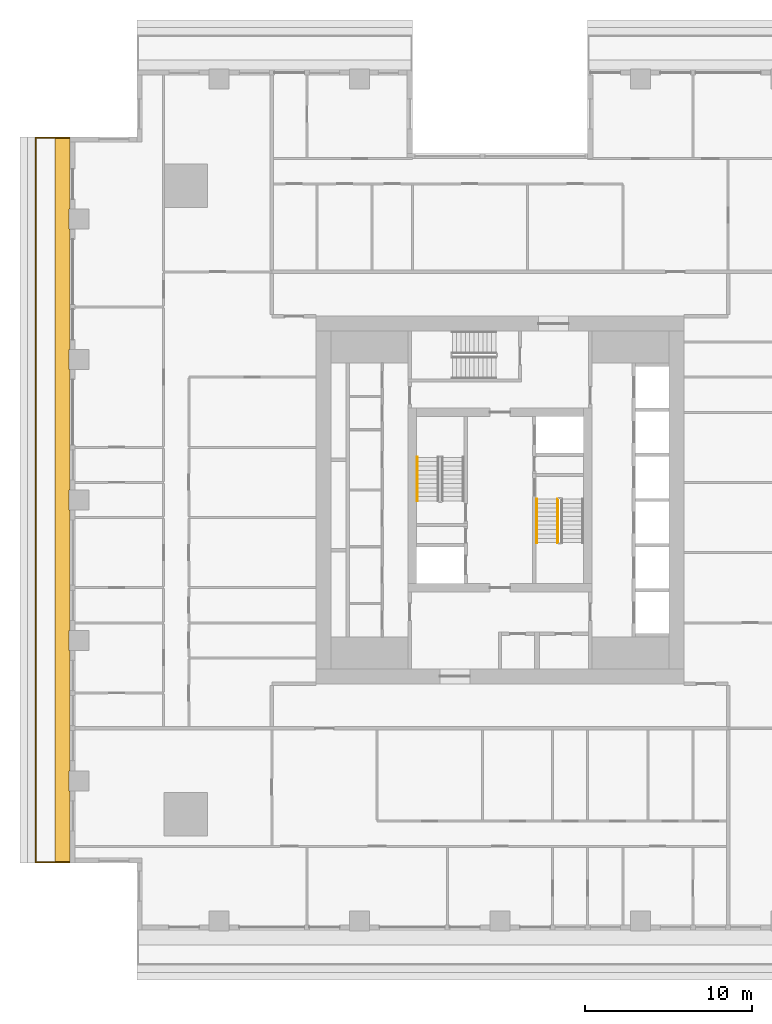
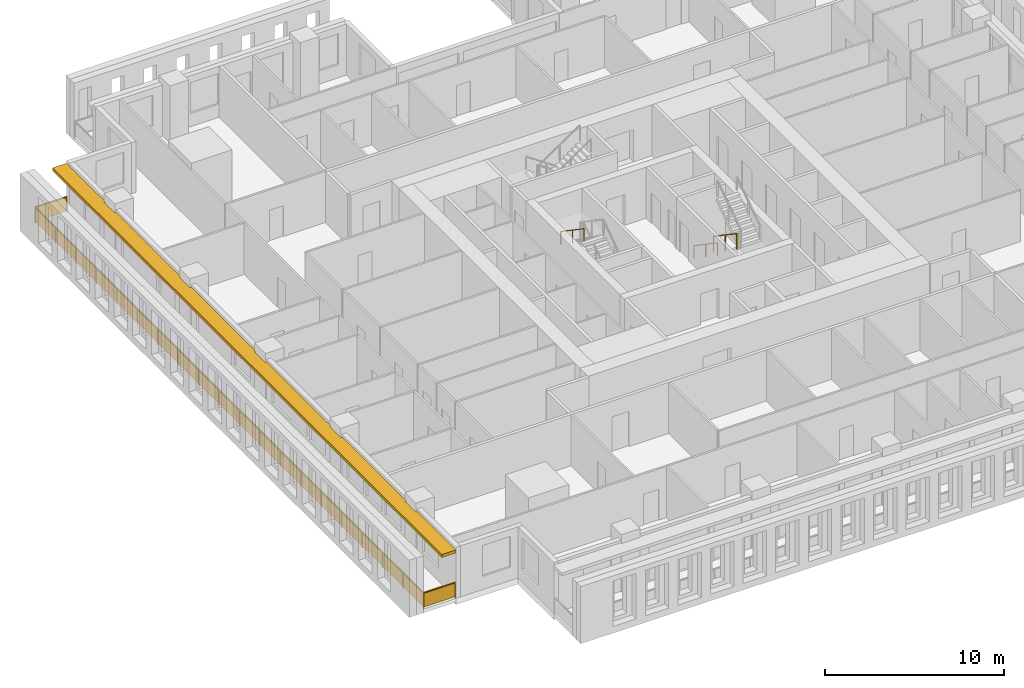
# One storey, part 11 of 15: 4 railings, 1 shading device.
"""IFC4 building model written with IfcOpenShell, lengths in metres."""

import ifcopenshell
import ifcopenshell.guid

model = None  # the IFC model being written
_history = None  # IfcOwnerHistory: only IFC2X3 demands one
_inside = {}  # id of a spatial element -> (the spatial element, [elements in it])
_under = {}  # id of a project, library or spatial element -> (it, [spatial elements below it])
_declared = {}  # id of a project -> (the project, [libraries it declares])
_typed = {}  # id of a type object -> (the type object, [elements of that type])
_made_of = {}  # id of a material, layer set ... -> (it, [elements and type objects made of it])


def new_model(schema):
    """Start an empty IFC model of exactly this schema.

    Asked for "IFC4X3", IfcOpenShell would pick the latest addendum, in which some entities
    have other attributes; the version numbers below select the first issue.
    IFC2X3 requires an IfcOwnerHistory on every rooted entity: one is made here for all.
    """
    global model, _history
    if schema == "IFC4X3":
        model = ifcopenshell.file(schema_version=(4, 3, 0, 0))
    else:
        model = ifcopenshell.file(schema=schema)
    _inside.clear()
    _under.clear()
    _declared.clear()
    _typed.clear()
    _made_of.clear()
    _history = None
    if model.schema == "IFC2X3":
        org = make("IfcOrganization", Name="unknown")
        user = make(
            "IfcPersonAndOrganization",
            ThePerson=make("IfcPerson", FamilyName="unknown"),
            TheOrganization=org,
        )
        app = make(
            "IfcApplication",
            ApplicationDeveloper=org,
            Version="unknown",
            ApplicationFullName="unknown",
            ApplicationIdentifier="unknown",
        )
        _history = make(
            "IfcOwnerHistory",
            OwningUser=user,
            OwningApplication=app,
            ChangeAction="ADDED",
            CreationDate=0,
        )
    return model


def make(cls, **values):
    """One entity of the class cls with the attributes given. An attribute that is None is left unset."""
    return model.create_entity(
        cls, **{name: value for name, value in values.items() if value is not None}
    )


def rooted(cls, **values):
    """An entity with a GlobalId (a new one), such as an element, a storey or a relation."""
    return make(cls, GlobalId=ifcopenshell.guid.new(), OwnerHistory=_history, **values)


def si_unit(unit_type, name, prefix=None):
    """IfcSIUnit, for example si_unit("LENGTHUNIT", "METRE", prefix="MILLI")."""
    return make("IfcSIUnit", UnitType=unit_type, Prefix=prefix, Name=name)


def assignment(units):
    """IfcUnitAssignment: the units of a project."""
    return None if units is None else make("IfcUnitAssignment", Units=units)


def point(xyz):
    """IfcCartesianPoint."""
    return None if xyz is None else make("IfcCartesianPoint", Coordinates=xyz)


def direction(xyz):
    """IfcDirection."""
    return None if xyz is None else make("IfcDirection", DirectionRatios=xyz)


def frame(location, z_axis=None, x_axis=None):
    """IfcAxis2Placement3D, a coordinate frame: its origin and axes. An axis left out is left unset."""
    return make(
        "IfcAxis2Placement3D",
        Location=point(location),
        Axis=direction(z_axis),
        RefDirection=direction(x_axis),
    )


def frame_2d(location, x_axis=None):
    """IfcAxis2Placement2D, a coordinate frame in the plane: its origin and x axis."""
    return make(
        "IfcAxis2Placement2D", Location=point(location), RefDirection=direction(x_axis)
    )


def origin():
    """The frame at (0, 0, 0) with its axes left unset."""
    return frame((0.0, 0.0, 0.0))


def origin_2d():
    """The frame at (0, 0) in the plane with its x axis left unset."""
    return frame_2d((0.0, 0.0))


def place(relative_to, where):
    """IfcLocalPlacement: puts the frame where relative to a parent placement (None: the world)."""
    return make(
        "IfcLocalPlacement", PlacementRelTo=relative_to, RelativePlacement=where
    )


def context(
    kind, dimensions, precision=None, world=None, true_north=None, identifier=None
):
    """IfcGeometricRepresentationContext, for example the 3D "Model" context."""
    return make(
        "IfcGeometricRepresentationContext",
        ContextIdentifier=identifier,
        ContextType=kind,
        CoordinateSpaceDimension=dimensions,
        Precision=precision,
        WorldCoordinateSystem=world,
        TrueNorth=true_north,
    )


def subcontext(parent, identifier, kind, view, scale=None):
    """IfcGeometricRepresentationSubContext, for example "Body" below "Model"."""
    return make(
        "IfcGeometricRepresentationSubContext",
        ContextIdentifier=identifier,
        ContextType=kind,
        ParentContext=parent,
        TargetScale=scale,
        TargetView=view,
    )


def project(units=None, contexts=None):
    """IfcProject with its units and contexts."""
    return rooted(
        "IfcProject",
        Name="project",
        RepresentationContexts=contexts,
        UnitsInContext=assignment(units),
    )


def spatial(cls, under=None, at=None, **own):
    """A site, building, storey or space (cls), placed at a placement, below another one or the project."""
    s = rooted(cls, ObjectPlacement=at, **own)
    if under is not None:
        _under.setdefault(under.id(), (under, []))[1].append(s)
    return s


def polyline(points):
    """IfcPolyline through the points."""
    return make("IfcPolyline", Points=[point(p) for p in points])


def profile(cls, at=None, kind="AREA", **sizes):
    """A parametric profile (cls). Its sizes go by their IFC names, for example OverallWidth=200.0."""
    return make(cls, ProfileType=kind, Position=at, **sizes)


def rectangle(**sizes):
    """IfcRectangleProfileDef."""
    return profile("IfcRectangleProfileDef", **sizes)


def outline(outer, holes=None, kind="AREA"):
    """IfcArbitraryClosedProfileDef: a profile drawn as a closed curve; with holes, ...WithVoids."""
    if holes is None:
        return make("IfcArbitraryClosedProfileDef", ProfileType=kind, OuterCurve=outer)
    return make(
        "IfcArbitraryProfileDefWithVoids",
        ProfileType=kind,
        OuterCurve=outer,
        InnerCurves=holes,
    )


def extrude(swept, where, along, depth):
    """IfcExtrudedAreaSolid: the profile swept, set in the frame where, extruded along a direction by depth."""
    return make(
        "IfcExtrudedAreaSolid",
        SweptArea=swept,
        Position=where,
        ExtrudedDirection=direction(along),
        Depth=depth,
    )


def shape(context_of_items, identifier, shape_type, items):
    """IfcShapeRepresentation: the items that make up one representation, for example the "Body"."""
    return make(
        "IfcShapeRepresentation",
        ContextOfItems=context_of_items,
        RepresentationIdentifier=identifier,
        RepresentationType=shape_type,
        Items=items,
    )


def material(Name=None, Category=None):
    """IfcMaterial."""
    return make("IfcMaterial", Name=Name, Category=Category)


def layer(
    of_material, thickness, ventilated=None, Name=None, Category=None, Priority=None
):
    """IfcMaterialLayer: one layer of a wall or slab, of a material (None: an air gap)."""
    return make(
        "IfcMaterialLayer",
        Material=of_material,
        LayerThickness=thickness,
        IsVentilated=ventilated,
        Name=Name,
        Category=Category,
        Priority=Priority,
    )


def layer_set(layers, Name=None):
    """IfcMaterialLayerSet."""
    return make("IfcMaterialLayerSet", MaterialLayers=layers, LayerSetName=Name)


def made_of(thing, what):
    """Note that an element or type object is made of a material, layer set ...; save() writes the relation."""
    if what is not None:
        _made_of.setdefault(what.id(), (what, []))[1].append(thing)
    return thing


def type_object(cls, material=None, **own):
    """A type object (cls), such as IfcWallType, which elements share."""
    return made_of(rooted(cls, **own), material)


def element(
    cls,
    number,
    at=None,
    inside=None,
    cuts=None,
    type_object=None,
    material=None,
    context=None,
    identifier="Body",
    shape_type=None,
    held_by="IfcProductDefinitionShape",
    body=None,
    shapes=None,
    **own,
):
    """One element of the class cls, such as IfcWall. Its Tag is "e" and its number.

    at: its placement. inside: the storey or other place that contains it. cuts: it is an
    opening in that element (IfcRelVoidsElement). A single representation is given by context,
    identifier, shape_type and body (its items); several are given by shapes. held_by: the class
    of the entity that holds the representations. save() writes the other relations.
    """
    e = rooted(cls, Tag="e%d" % number, ObjectPlacement=at, **own)
    if body is not None:
        shapes = [shape(context, identifier, shape_type, body)]
    if shapes is not None:
        e.Representation = make(held_by, Representations=shapes)
    if inside is not None:
        _inside.setdefault(inside.id(), (inside, []))[1].append(e)
    if cuts is not None:
        rooted(
            "IfcRelVoidsElement", RelatingBuildingElement=cuts, RelatedOpeningElement=e
        )
    if type_object is not None:
        _typed.setdefault(type_object.id(), (type_object, []))[1].append(e)
    return made_of(e, material)


def aggregate(whole, parts):
    """IfcRelAggregates: a whole, such as a stair, and the parts it consists of."""
    return rooted("IfcRelAggregates", RelatingObject=whole, RelatedObjects=parts)


def save(model, path):
    """Write the relations noted so far, then the file.

    IfcRelAggregates (storeys below a building ...), IfcRelContainedInSpatialStructure (elements
    in a storey), IfcRelDefinesByType, IfcRelAssociatesMaterial and IfcRelDeclares: one each for
    every whole, place, type object, material and project.
    """
    for whole, parts in _under.values():
        aggregate(whole, parts)
    for where, things in _inside.values():
        rooted(
            "IfcRelContainedInSpatialStructure",
            RelatedElements=things,
            RelatingStructure=where,
        )
    for kind, things in _typed.values():
        rooted("IfcRelDefinesByType", RelatedObjects=things, RelatingType=kind)
    for what, things in _made_of.values():
        rooted("IfcRelAssociatesMaterial", RelatedObjects=things, RelatingMaterial=what)
    for by, libraries in _declared.values():
        rooted("IfcRelDeclares", RelatingContext=by, RelatedDefinitions=libraries)
    model.write(path)


model = new_model("IFC4")

# Units and contexts
model_context = context("Model", 3, precision=1e-05, world=origin(), true_north=direction((0.0, 1.0)))
body_context = subcontext(model_context, "Body", "Model", "MODEL_VIEW")
ifc_project = project(units=[si_unit("LENGTHUNIT", "METRE"), si_unit("AREAUNIT", "SQUARE_METRE"), si_unit("VOLUMEUNIT", "CUBIC_METRE"), si_unit("PLANEANGLEUNIT", "RADIAN"), si_unit("MASSUNIT", "GRAM", prefix="KILO")], contexts=[model_context])

# Site, building, storey
site_placement = place(None, origin())
site = spatial("IfcSite", under=ifc_project, at=site_placement, CompositionType="ELEMENT")
building_placement = place(site_placement, origin())
building = spatial("IfcBuilding", under=site, at=building_placement, Name="Khepri Terraces", CompositionType="ELEMENT")
storey_placement = place(building_placement, frame((0.0, 0.0, 145.5)))
storey = spatial("IfcBuildingStorey", under=building, at=storey_placement, Name="L34", CompositionType="ELEMENT", Elevation=145.5)

# Railings
ifc_material_1 = material(Name="Stainless steel grade 316", Category="steel")
railing_type_1 = type_object("IfcRailingType", Name="GRD-BAL-1100", PredefinedType="GUARDRAIL", material=ifc_material_1)
railing_1_placement = place(storey_placement, frame((-25.719970703125, 21.669921875, 0.0)))
element("IfcRailing", 1, at=railing_1_placement, inside=storey, type_object=railing_type_1, Name="Balcony guard L34 W", PredefinedType="GUARDRAIL", context=body_context, shape_type="SweptSolid", body=[
    extrude(rectangle(XDim=0.050048828125, YDim=0.06005859375, at=origin_2d()), frame((0.0, 0.0, 1.070068359375), z_axis=(-1.0, 0.0, 0.0), x_axis=(0.0, -1.0, 0.0)), (0.0, 0.0, 1.0), 2.050048828125),
    extrude(rectangle(XDim=2.0, YDim=0.011962890625, at=origin_2d()), frame((-1.02490234375, 0.0, 0.10009765625), z_axis=(0.0, 0.0, 1.0), x_axis=(-1.0, 0.0, 0.0)), (0.0, 0.0, 1.0), 0.93994140625),
    extrude(rectangle(XDim=0.050048828125, YDim=0.06005859375, at=origin_2d()), frame((-2.050048828125, 0.0, 1.070068359375), z_axis=(0.0, -1.0, 0.0), x_axis=(1.0, 0.0, 0.0)), (0.0, 0.0, 1.0), 43.33984375),
    extrude(rectangle(XDim=2.23095703125, YDim=0.011962890625, at=origin_2d()), frame((-2.050048828125, -1.140625, 0.10009765625), z_axis=(0.0, 0.0, 1.0), x_axis=(0.0, -1.0, 0.0)), (0.0, 0.0, 1.0), 0.93994140625),
    extrude(rectangle(XDim=2.23095703125, YDim=0.011962890625, at=origin_2d()), frame((-2.050048828125, -3.421630859375, 0.10009765625), z_axis=(0.0, 0.0, 1.0), x_axis=(0.0, -1.0, 0.0)), (0.0, 0.0, 1.0), 0.93994140625),
    extrude(rectangle(XDim=2.23095703125, YDim=0.011962890625, at=origin_2d()), frame((-2.050048828125, -5.70263671875, 0.10009765625), z_axis=(0.0, 0.0, 1.0), x_axis=(0.0, -1.0, 0.0)), (0.0, 0.0, 1.0), 0.93994140625),
    extrude(rectangle(XDim=2.23095703125, YDim=0.011962890625, at=origin_2d()), frame((-2.050048828125, -7.983642578125, 0.10009765625), z_axis=(0.0, 0.0, 1.0), x_axis=(0.0, -1.0, 0.0)), (0.0, 0.0, 1.0), 0.93994140625),
    extrude(rectangle(XDim=2.23095703125, YDim=0.011962890625, at=origin_2d()), frame((-2.050048828125, -10.2646484375, 0.10009765625), z_axis=(0.0, 0.0, 1.0), x_axis=(0.0, -1.0, 0.0)), (0.0, 0.0, 1.0), 0.93994140625),
    extrude(rectangle(XDim=2.23095703125, YDim=0.011962890625, at=origin_2d()), frame((-2.050048828125, -12.545654296875, 0.10009765625), z_axis=(0.0, 0.0, 1.0), x_axis=(0.0, -1.0, 0.0)), (0.0, 0.0, 1.0), 0.93994140625),
    extrude(rectangle(XDim=2.23095703125, YDim=0.011962890625, at=origin_2d()), frame((-2.050048828125, -14.826904296875, 0.10009765625), z_axis=(0.0, 0.0, 1.0), x_axis=(0.0, -1.0, 0.0)), (0.0, 0.0, 1.0), 0.93994140625),
    extrude(rectangle(XDim=2.23095703125, YDim=0.011962890625, at=origin_2d()), frame((-2.050048828125, -17.10791015625, 0.10009765625), z_axis=(0.0, 0.0, 1.0), x_axis=(0.0, -1.0, 0.0)), (0.0, 0.0, 1.0), 0.93994140625),
    extrude(rectangle(XDim=2.23095703125, YDim=0.011962890625, at=origin_2d()), frame((-2.050048828125, -19.388916015625, 0.10009765625), z_axis=(0.0, 0.0, 1.0), x_axis=(0.0, -1.0, 0.0)), (0.0, 0.0, 1.0), 0.93994140625),
    extrude(rectangle(XDim=2.23095703125, YDim=0.011962890625, at=origin_2d()), frame((-2.050048828125, -21.669921875, 0.10009765625), z_axis=(0.0, 0.0, 1.0), x_axis=(0.0, -1.0, 0.0)), (0.0, 0.0, 1.0), 0.93994140625),
    extrude(rectangle(XDim=2.23095703125, YDim=0.011962890625, at=origin_2d()), frame((-2.050048828125, -23.950927734375, 0.10009765625), z_axis=(0.0, 0.0, 1.0), x_axis=(0.0, -1.0, 0.0)), (0.0, 0.0, 1.0), 0.93994140625),
    extrude(rectangle(XDim=2.23095703125, YDim=0.011962890625, at=origin_2d()), frame((-2.050048828125, -26.23193359375, 0.10009765625), z_axis=(0.0, 0.0, 1.0), x_axis=(0.0, -1.0, 0.0)), (0.0, 0.0, 1.0), 0.93994140625),
    extrude(rectangle(XDim=2.23095703125, YDim=0.011962890625, at=origin_2d()), frame((-2.050048828125, -28.512939453125, 0.10009765625), z_axis=(0.0, 0.0, 1.0), x_axis=(0.0, -1.0, 0.0)), (0.0, 0.0, 1.0), 0.93994140625),
    extrude(rectangle(XDim=2.23095703125, YDim=0.011962890625, at=origin_2d()), frame((-2.050048828125, -30.794189453125, 0.10009765625), z_axis=(0.0, 0.0, 1.0), x_axis=(0.0, -1.0, 0.0)), (0.0, 0.0, 1.0), 0.93994140625),
    extrude(rectangle(XDim=2.23095703125, YDim=0.011962890625, at=origin_2d()), frame((-2.050048828125, -33.0751953125, 0.10009765625), z_axis=(0.0, 0.0, 1.0), x_axis=(0.0, -1.0, 0.0)), (0.0, 0.0, 1.0), 0.93994140625),
    extrude(rectangle(XDim=2.23095703125, YDim=0.011962890625, at=origin_2d()), frame((-2.050048828125, -35.356201171875, 0.10009765625), z_axis=(0.0, 0.0, 1.0), x_axis=(0.0, -1.0, 0.0)), (0.0, 0.0, 1.0), 0.93994140625),
    extrude(rectangle(XDim=2.23095703125, YDim=0.011962890625, at=origin_2d()), frame((-2.050048828125, -37.63720703125, 0.10009765625), z_axis=(0.0, 0.0, 1.0), x_axis=(0.0, -1.0, 0.0)), (0.0, 0.0, 1.0), 0.93994140625),
    extrude(rectangle(XDim=2.23095703125, YDim=0.011962890625, at=origin_2d()), frame((-2.050048828125, -39.918212890625, 0.10009765625), z_axis=(0.0, 0.0, 1.0), x_axis=(0.0, -1.0, 0.0)), (0.0, 0.0, 1.0), 0.93994140625),
    extrude(rectangle(XDim=2.23095703125, YDim=0.011962890625, at=origin_2d()), frame((-2.050048828125, -42.19921875, 0.10009765625), z_axis=(0.0, 0.0, 1.0), x_axis=(0.0, -1.0, 0.0)), (0.0, 0.0, 1.0), 0.93994140625),
    extrude(rectangle(XDim=0.050048828125, YDim=0.06005859375, at=origin_2d()), frame((-2.050048828125, -43.33984375, 1.070068359375), z_axis=(1.0, 0.0, 0.0), x_axis=(0.0, 1.0, 0.0)), (0.0, 0.0, 1.0), 2.050048828125),
    extrude(rectangle(XDim=2.0, YDim=0.011962890625, at=origin_2d()), frame((-1.02490234375, -43.33984375, 0.10009765625), z_axis=(0.0, 0.0, 1.0), x_axis=(1.0, 0.0, 0.0)), (0.0, 0.0, 1.0), 0.93994140625),
    extrude(rectangle(XDim=0.050048828125, YDim=0.050048828125, at=origin_2d()), origin(), (0.0, 0.0, 1.0), 1.0400390625),
    extrude(rectangle(XDim=0.050048828125, YDim=0.050048828125, at=origin_2d()), frame((-2.050048828125, 0.0, 0.0)), (0.0, 0.0, 1.0), 1.0400390625),
    extrude(rectangle(XDim=0.050048828125, YDim=0.050048828125, at=origin_2d()), frame((-2.050048828125, -2.281005859375, 0.0)), (0.0, 0.0, 1.0), 1.0400390625),
    extrude(rectangle(XDim=0.050048828125, YDim=0.050048828125, at=origin_2d()), frame((-2.050048828125, -4.56201171875, 0.0)), (0.0, 0.0, 1.0), 1.0400390625),
    extrude(rectangle(XDim=0.050048828125, YDim=0.050048828125, at=origin_2d()), frame((-2.050048828125, -6.843017578125, 0.0)), (0.0, 0.0, 1.0), 1.0400390625),
    extrude(rectangle(XDim=0.050048828125, YDim=0.050048828125, at=origin_2d()), frame((-2.050048828125, -9.124267578125, 0.0)), (0.0, 0.0, 1.0), 1.0400390625),
    extrude(rectangle(XDim=0.050048828125, YDim=0.050048828125, at=origin_2d()), frame((-2.050048828125, -11.4052734375, 0.0)), (0.0, 0.0, 1.0), 1.0400390625),
    extrude(rectangle(XDim=0.050048828125, YDim=0.050048828125, at=origin_2d()), frame((-2.050048828125, -13.686279296875, 0.0)), (0.0, 0.0, 1.0), 1.0400390625),
    extrude(rectangle(XDim=0.050048828125, YDim=0.050048828125, at=origin_2d()), frame((-2.050048828125, -15.96728515625, 0.0)), (0.0, 0.0, 1.0), 1.0400390625),
    extrude(rectangle(XDim=0.050048828125, YDim=0.050048828125, at=origin_2d()), frame((-2.050048828125, -18.248291015625, 0.0)), (0.0, 0.0, 1.0), 1.0400390625),
    extrude(rectangle(XDim=0.050048828125, YDim=0.050048828125, at=origin_2d()), frame((-2.050048828125, -20.529296875, 0.0)), (0.0, 0.0, 1.0), 1.0400390625),
    extrude(rectangle(XDim=0.050048828125, YDim=0.050048828125, at=origin_2d()), frame((-2.050048828125, -22.810546875, 0.0)), (0.0, 0.0, 1.0), 1.0400390625),
    extrude(rectangle(XDim=0.050048828125, YDim=0.050048828125, at=origin_2d()), frame((-2.050048828125, -25.091552734375, 0.0)), (0.0, 0.0, 1.0), 1.0400390625),
    extrude(rectangle(XDim=0.050048828125, YDim=0.050048828125, at=origin_2d()), frame((-2.050048828125, -27.37255859375, 0.0)), (0.0, 0.0, 1.0), 1.0400390625),
    extrude(rectangle(XDim=0.050048828125, YDim=0.050048828125, at=origin_2d()), frame((-2.050048828125, -29.653564453125, 0.0)), (0.0, 0.0, 1.0), 1.0400390625),
    extrude(rectangle(XDim=0.050048828125, YDim=0.050048828125, at=origin_2d()), frame((-2.050048828125, -31.9345703125, 0.0)), (0.0, 0.0, 1.0), 1.0400390625),
    extrude(rectangle(XDim=0.050048828125, YDim=0.050048828125, at=origin_2d()), frame((-2.050048828125, -34.215576171875, 0.0)), (0.0, 0.0, 1.0), 1.0400390625),
    extrude(rectangle(XDim=0.050048828125, YDim=0.050048828125, at=origin_2d()), frame((-2.050048828125, -36.496826171875, 0.0)), (0.0, 0.0, 1.0), 1.0400390625),
    extrude(rectangle(XDim=0.050048828125, YDim=0.050048828125, at=origin_2d()), frame((-2.050048828125, -38.77783203125, 0.0)), (0.0, 0.0, 1.0), 1.0400390625),
    extrude(rectangle(XDim=0.050048828125, YDim=0.050048828125, at=origin_2d()), frame((-2.050048828125, -41.058837890625, 0.0)), (0.0, 0.0, 1.0), 1.0400390625),
    extrude(rectangle(XDim=0.050048828125, YDim=0.050048828125, at=origin_2d()), frame((-2.050048828125, -43.33984375, 0.0)), (0.0, 0.0, 1.0), 1.0400390625),
    extrude(rectangle(XDim=0.050048828125, YDim=0.050048828125, at=origin_2d()), frame((0.0, -43.33984375, 0.0)), (0.0, 0.0, 1.0), 1.0400390625),
])
ifc_material_2 = material(Name="Stainless steel 316", Category="steel")
railing_type_2 = type_object("IfcRailingType", Name="RL-CORE-GUARD", PredefinedType="GUARDRAIL", material=ifc_material_2)
railing_2_placement = place(storey_placement, frame((3.449951171875, 0.050048828125, 0.17724609375)))
element("IfcRailing", 2, at=railing_2_placement, inside=storey, type_object=railing_type_2, Name="L34 ST-2 stair guard 1", PredefinedType="GUARDRAIL", context=body_context, shape_type="SweptSolid", body=[
    extrude(rectangle(XDim=0.050048828125, YDim=0.06005859375, at=origin_2d()), frame((0.0, 0.0, 1.070068359375), z_axis=(0.0, -0.826240473404, 0.563317565952), x_axis=(1.0, 0.0, 0.0)), (0.0, 0.0, 1.0), 3.14697265625),
    extrude(rectangle(XDim=0.050048828125, YDim=0.050048828125, at=origin_2d()), origin(), (0.0, 0.0, 1.0), 1.0400390625),
    extrude(rectangle(XDim=0.050048828125, YDim=0.050048828125, at=origin_2d()), frame((0.0, -1.300048828125, 0.88623046875)), (0.0, 0.0, 1.0), 1.0400390625),
    extrude(rectangle(XDim=0.050048828125, YDim=0.050048828125, at=origin_2d()), frame((0.0, -2.60009765625, 1.772705078125)), (0.0, 0.0, 1.0), 1.0400390625),
])
railing_type_3 = type_object("IfcRailingType", Name="RL-CORE-HANDRAIL", PredefinedType="HANDRAIL", material=ifc_material_2)
for number, where, name in (
    (3, (-4.949951171875, 2.550048828125, 2.127197265625), "L34 ST-1 stair handrail 2"),
    (4, (2.199951171875, 0.050048828125, 0.17724609375), "L34 ST-2 stair handrail 1"),
):
    element("IfcRailing", number, at=place(storey_placement, frame(where)), inside=storey, type_object=railing_type_3, Name=name, PredefinedType="HANDRAIL", context=body_context, shape_type="SweptSolid", body=[
        extrude(rectangle(XDim=0.050048828125, YDim=0.050048828125, at=origin_2d()), frame((0.0, 0.0, 0.875), z_axis=(0.0, -0.826240473404, 0.563317565952), x_axis=(1.0, 0.0, 0.0)), (0.0, 0.0, 1.0), 3.14697265625),
        extrude(rectangle(XDim=0.050048828125, YDim=0.050048828125, at=origin_2d()), origin(), (0.0, 0.0, 1.0), 0.849853515625),
        extrude(rectangle(XDim=0.050048828125, YDim=0.050048828125, at=origin_2d()), frame((0.0, -1.300048828125, 0.88623046875)), (0.0, 0.0, 1.0), 0.849853515625),
        extrude(rectangle(XDim=0.050048828125, YDim=0.050048828125, at=origin_2d()), frame((0.0, -2.60009765625, 1.772705078125)), (0.0, 0.0, 1.0), 0.849853515625),
    ])

# Shading device
ifc_material_3 = material(Name="Precast concrete C50/60 warm stone", Category="masonry")
ifc_layer = layer(ifc_material_3, 0.199951171875, Name="Precast concrete C50/60 warm stone", Category="masonry")
ifc_layer_set = layer_set([ifc_layer], Name="Precast concrete C50/60 warm stone")
shading_device_type = type_object("IfcShadingDeviceType", Name="SSH-BAND-STONE-200", PredefinedType="USERDEFINED", material=ifc_layer_set)
shading_device_placement = place(storey_placement, frame((0.0, 0.0, 3.10009765625)))
element("IfcShadingDevice", 5, at=shading_device_placement, inside=storey, type_object=shading_device_type, Name="Sunshade band L34 W", ObjectType="SUNSHADE", PredefinedType="USERDEFINED", context=body_context, shape_type="SweptSolid", body=[
    extrude(outline(polyline([(-25.719970703125, 17.39990234375), (-25.719970703125, 21.719970703125), (-26.6201171875, 21.719970703125), (-26.6201171875, -21.719970703125), (-25.719970703125, -21.719970703125), (-25.719970703125, -17.39990234375), (-25.800048828125, -17.39990234375), (-25.800048828125, -16.199951171875), (-25.719970703125, -16.199951171875), (-25.719970703125, -9.0), (-25.800048828125, -9.0), (-25.800048828125, -7.800048828125), (-25.719970703125, -7.800048828125), (-25.719970703125, -0.60009765625), (-25.800048828125, -0.60009765625), (-25.800048828125, 0.60009765625), (-25.719970703125, 0.60009765625), (-25.719970703125, 7.800048828125), (-25.800048828125, 7.800048828125), (-25.800048828125, 9.0), (-25.719970703125, 9.0), (-25.719970703125, 16.199951171875), (-25.800048828125, 16.199951171875), (-25.800048828125, 17.39990234375), (-25.719970703125, 17.39990234375)])), origin(), (0.0, 0.0, 1.0), 0.199951171875),
])

save(model, "model.ifc")
